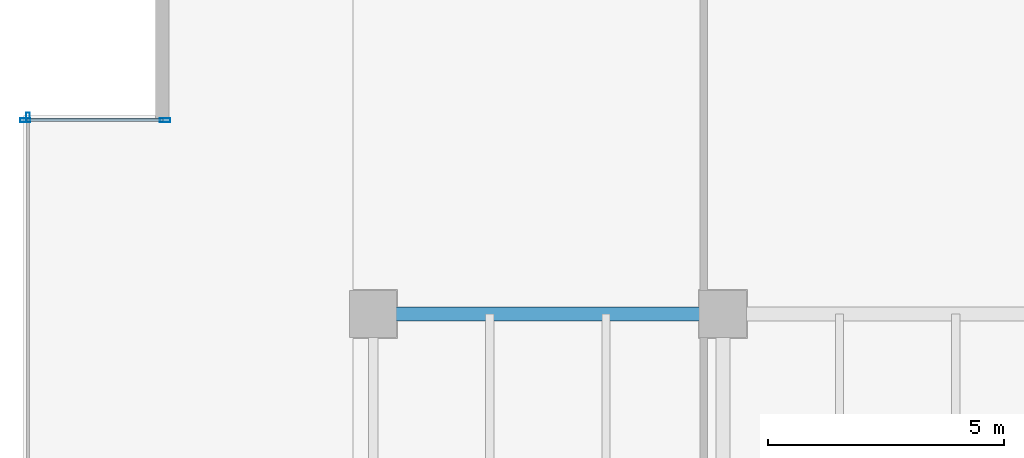
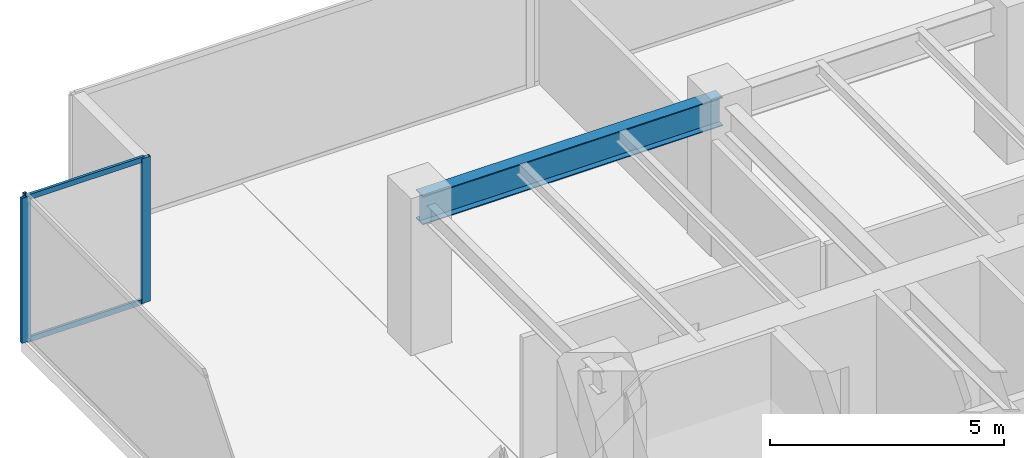
# One storey, part 12 of 36: 5 members, 1 beam, 2 elements without a shape of their own.
"""IFC4 building model written with IfcOpenShell, lengths in metres."""

from ifc_helpers import new_model, si_unit, direction, frame, origin, origin_2d, place, context, subcontext, project, spatial, hollow_rectangle, i_section, extrude, source, transform, mapped, material, layer, layer_set, material_profile, profile_set, type_object, type_shapes, element, aggregate, save


model = new_model("IFC4")

# Units and contexts
model_context = context("Model", 3, precision=1e-05, world=origin(), true_north=direction((0.0, 1.0)))
body_context = subcontext(model_context, "Body", "Model", "MODEL_VIEW")
ifc_project = project(units=[si_unit("LENGTHUNIT", "METRE"), si_unit("AREAUNIT", "SQUARE_METRE"), si_unit("VOLUMEUNIT", "CUBIC_METRE"), si_unit("PLANEANGLEUNIT", "RADIAN"), si_unit("MASSUNIT", "GRAM", prefix="KILO")], contexts=[model_context])

# Site, building, storey
site_placement = place(None, origin())
site = spatial("IfcSite", under=ifc_project, at=site_placement, CompositionType="ELEMENT")
building_placement = place(site_placement, origin())
building = spatial("IfcBuilding", under=site, at=building_placement, Name="Haelvirn Gate Laboratories", CompositionType="ELEMENT")
storey_placement = place(building_placement, frame((0.0, 0.0, 49.800048828125)))
storey = spatial("IfcBuildingStorey", under=building, at=storey_placement, Name="L12", CompositionType="ELEMENT", Elevation=49.800048828125)

# Beam
ifc_material_1 = material(Name="Steel SM355", Category="steel")
ifc_material_profile_1 = material_profile(ifc_material_1, i_section(OverallWidth=0.300048828125, OverallDepth=0.75, WebThickness=0.013916015625, FlangeThickness=0.02392578125, at=origin_2d()), Name="H-750x300x14x24")
ifc_profile_set_1 = profile_set([ifc_material_profile_1], Name="Steel SM355")
beam_type = type_object("IfcBeamType", Name="BM-G-750", PredefinedType="BEAM", material=ifc_profile_set_1)
shared_shape_1 = source(origin(), body_context, "Body", "SweptSolid", [
    extrude(i_section(OverallWidth=0.300048828125, OverallDepth=0.75, WebThickness=0.013916015625, FlangeThickness=0.02392578125, at=origin_2d()), origin(), (0.0, 0.0, 1.0), 7.400146484375),
])
type_shapes(beam_type, [shared_shape_1])
beam_placement = place(storey_placement, frame((7.39990234375, 41.60009765625, 3.405029296875), z_axis=(1.0, 0.0, 0.0), x_axis=(0.0, 1.0, 0.0)))
element("IfcBeam", 1, at=beam_placement, inside=storey, type_object=beam_type, Name="L12 Primary Girder Y41.6 (7.4-14.8)", PredefinedType="BEAM", context=body_context, shape_type="MappedRepresentation", body=[
    mapped(shared_shape_1, transform((0.0, 0.0, 0.0), scale=1.0)),
])

# Curtain wall, member
ifc_material_2 = material(Name="Anodised bronze unitised aluminium & triple low-E glass", Category="aluminium")
ifc_layer_1 = layer(ifc_material_2, 0.18408203125, Name="CW-SYS-2")
ifc_layer_set_1 = layer_set([ifc_layer_1], Name="Anodised bronze unitised aluminium & triple low-E glass")
curtain_wall_type_1 = type_object("IfcCurtainWallType", Name="CW-SYS-2", PredefinedType="NOTDEFINED", material=ifc_layer_set_1)
curtain_wall_1_placement = place(storey_placement, origin())
curtain_wall_1 = element("IfcCurtainWall", 2, at=curtain_wall_1_placement, inside=storey, type_object=curtain_wall_type_1, Name="L12 Unitised Curtain Wall CW-L12-P0-E17", PredefinedType="NOTDEFINED")
ifc_material_3 = material(Name="Extruded aluminium 6063-T6 (anodised bronze)", Category="aluminium")
ifc_material_profile_2 = material_profile(ifc_material_3, hollow_rectangle(XDim=0.074951171875, YDim=0.199951171875, WallThickness=0.0048828125, at=origin_2d()), Name="CWM-200x75x5")
ifc_profile_set_2 = profile_set([ifc_material_profile_2], Name="Extruded aluminium 6063-T6 (anodised bronze)")
member_type_1 = type_object("IfcMemberType", Name="CWM-T200", PredefinedType="MULLION", material=ifc_profile_set_2)
shared_shape_2 = source(origin(), body_context, "Body", "SweptSolid", [
    extrude(hollow_rectangle(XDim=0.074951171875, YDim=0.199951171875, WallThickness=0.0048828125, at=origin_2d()), origin(), (0.0, 0.0, 1.0), 3.780029296875),
])
type_shapes(member_type_1, [shared_shape_2])
member_1_placement = place(storey_placement, frame((0.10009765625, 45.762451171875, 0.0), z_axis=(0.0, 0.0, 1.0), x_axis=(1.0, 0.0, 0.0)))
member_1 = element("IfcMember", 3, at=member_1_placement, type_object=member_type_1, Name="CW2 mullion 1", PredefinedType="MULLION", context=body_context, shape_type="MappedRepresentation", body=[
    mapped(shared_shape_2, transform((0.0, 0.0, 0.0), scale=1.0)),
])
aggregate(curtain_wall_1, [member_1])

# Curtain wall, members
ifc_layer_2 = layer(ifc_material_2, 0.181884765625, Name="CW-SYS-5")
ifc_layer_set_2 = layer_set([ifc_layer_2], Name="Anodised bronze unitised aluminium & triple low-E glass")
curtain_wall_type_2 = type_object("IfcCurtainWallType", Name="CW-SYS-5", PredefinedType="NOTDEFINED", material=ifc_layer_set_2)
curtain_wall_2_placement = place(storey_placement, origin())
curtain_wall_2 = element("IfcCurtainWall", 4, at=curtain_wall_2_placement, inside=storey, type_object=curtain_wall_type_2, Name="L12 Unitised Curtain Wall CW-L12-P0-E16-1", PredefinedType="NOTDEFINED")
ifc_material_profile_3 = material_profile(ifc_material_3, hollow_rectangle(XDim=0.080078125, YDim=0.219970703125, WallThickness=0.006103515625, at=origin_2d()), Name="CWM-220x80x6")
ifc_profile_set_3 = profile_set([ifc_material_profile_3], Name="Extruded aluminium 6063-T6 (anodised bronze)")
member_type_2 = type_object("IfcMemberType", Name="CWM-T220", PredefinedType="MULLION", material=ifc_profile_set_3)
shared_shape_3 = source(origin(), body_context, "Body", "SweptSolid", [
    extrude(hollow_rectangle(XDim=0.080078125, YDim=0.219970703125, WallThickness=0.006103515625, at=origin_2d()), origin(), (0.0, 0.0, 1.0), 3.780029296875),
])
type_shapes(member_type_2, [shared_shape_3])
member_2_placement = place(storey_placement, frame((0.0400390625, 45.699951171875, 0.0), z_axis=(0.0, 0.0, 1.0), x_axis=(0.0, 1.0, 0.0)))
member_2 = element("IfcMember", 5, at=member_2_placement, type_object=member_type_2, Name="CW5 mullion 1", PredefinedType="MULLION", context=body_context, shape_type="MappedRepresentation", body=[
    mapped(shared_shape_3, transform((0.0, 0.0, 0.0), scale=1.0)),
])
member_3_placement = place(storey_placement, frame((3.0, 45.699951171875, 0.0), z_axis=(0.0, 0.0, 1.0), x_axis=(0.0, 1.0, 0.0)))
member_3 = element("IfcMember", 6, at=member_3_placement, type_object=member_type_2, Name="CW5 mullion 2", PredefinedType="MULLION", context=body_context, shape_type="MappedRepresentation", body=[
    mapped(shared_shape_3, transform((0.0, 0.0, 0.0), scale=1.0)),
])
ifc_material_profile_4 = material_profile(ifc_material_3, hollow_rectangle(XDim=0.06494140625, YDim=0.139892578125, WallThickness=0.00390625, at=origin_2d()), Name="CWT-140x65x4")
ifc_profile_set_4 = profile_set([ifc_material_profile_4], Name="Extruded aluminium 6063-T6 (anodised bronze)")
member_type_3 = type_object("IfcMemberType", Name="CWT-T140", PredefinedType="USERDEFINED", material=ifc_profile_set_4)
shared_shape_4 = source(origin(), body_context, "Body", "SweptSolid", [
    extrude(hollow_rectangle(XDim=0.06494140625, YDim=0.139892578125, WallThickness=0.00390625, at=origin_2d()), origin(), (0.0, 0.0, 1.0), 2.8798828125),
])
type_shapes(member_type_3, [shared_shape_4])
member_4_placement = place(storey_placement, frame((0.080078125, 45.699951171875, 0.032470703125), z_axis=(1.0, 0.0, 0.0), x_axis=(0.0, 1.0, 0.0)))
member_4 = element("IfcMember", 7, at=member_4_placement, type_object=member_type_3, Name="CW5 transom 1.1", ObjectType="TRANSOM", PredefinedType="USERDEFINED", context=body_context, shape_type="MappedRepresentation", body=[
    mapped(shared_shape_4, transform((0.0, 0.0, 0.0), scale=1.0)),
])
member_5_placement = place(storey_placement, frame((0.080078125, 45.699951171875, 3.74755859375), z_axis=(1.0, 0.0, 0.0), x_axis=(0.0, 1.0, 0.0)))
member_5 = element("IfcMember", 8, at=member_5_placement, type_object=member_type_3, Name="CW5 transom 1.2", ObjectType="TRANSOM", PredefinedType="USERDEFINED", context=body_context, shape_type="MappedRepresentation", body=[
    mapped(shared_shape_4, transform((0.0, 0.0, 0.0), scale=1.0)),
])
aggregate(curtain_wall_2, [member_2, member_3, member_4, member_5])

save(model, "model.ifc")
